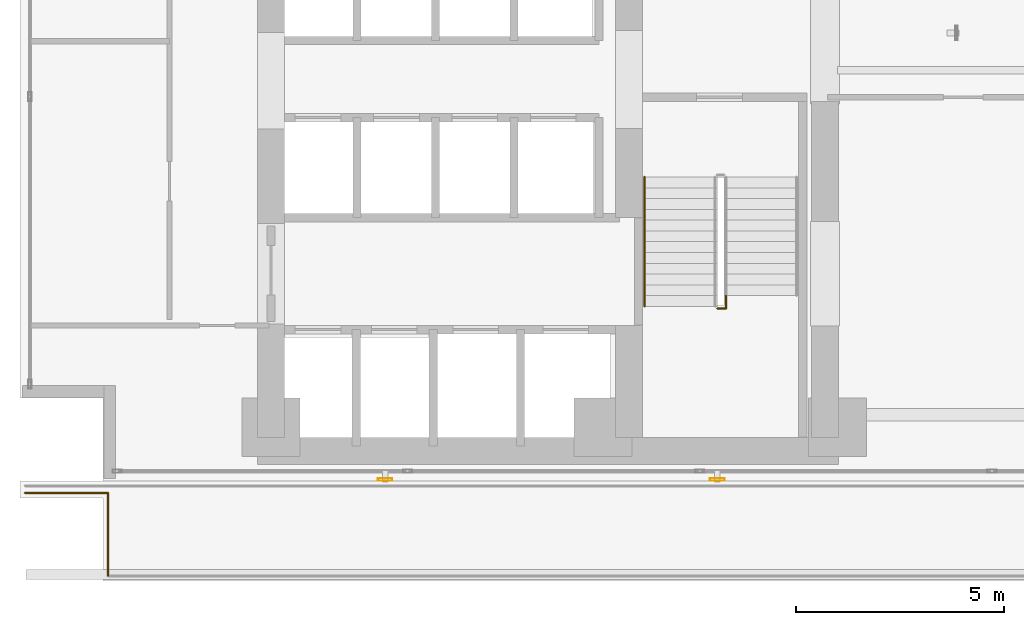
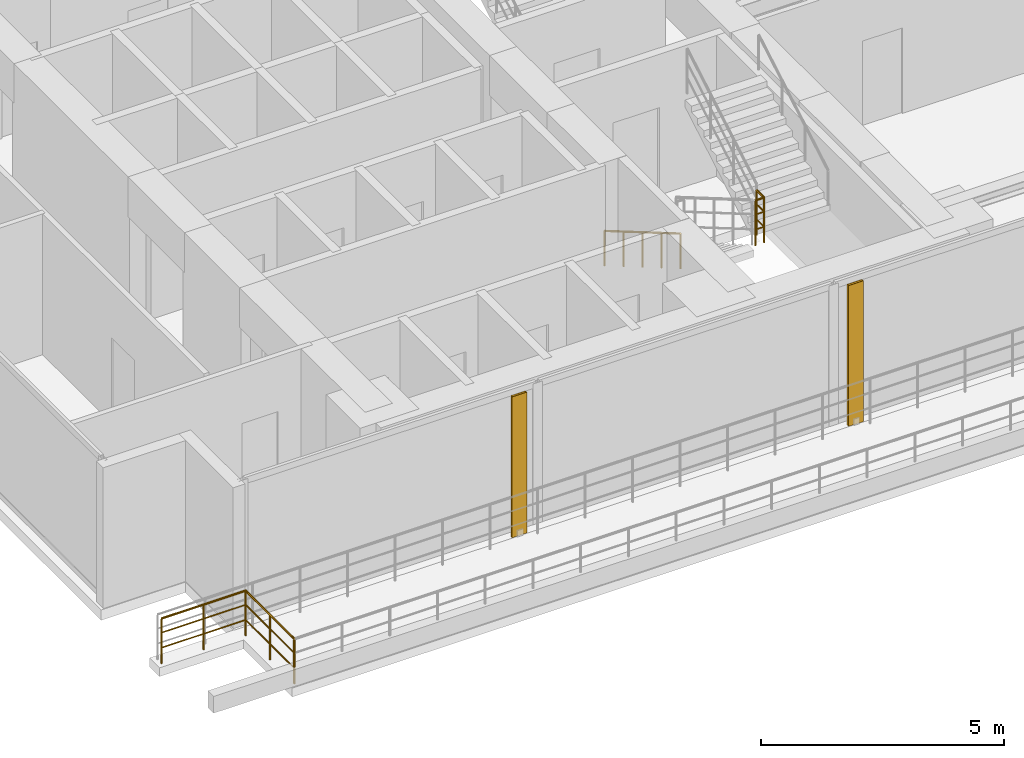
# One storey, part 21 of 26: 4 railings, 2 shading devices.
"""IFC4 building model written with IfcOpenShell, lengths in metres."""

from ifc_helpers import new_model, si_unit, direction, frame, origin, origin_2d, place, context, subcontext, project, spatial, hollow_rectangle, circle, extrude, material, material_profile, profile_set, type_object, element, save


model = new_model("IFC4")

# Units and contexts
model_context = context("Model", 3, precision=1e-05, world=origin(), true_north=direction((0.0, 1.0)))
body_context = subcontext(model_context, "Body", "Model", "MODEL_VIEW")
ifc_project = project(units=[si_unit("LENGTHUNIT", "METRE"), si_unit("AREAUNIT", "SQUARE_METRE"), si_unit("VOLUMEUNIT", "CUBIC_METRE"), si_unit("PLANEANGLEUNIT", "RADIAN"), si_unit("MASSUNIT", "GRAM", prefix="KILO")], contexts=[model_context])

# Site, building, storey
site_placement = place(None, origin())
site = spatial("IfcSite", under=ifc_project, at=site_placement, CompositionType="ELEMENT")
building_placement = place(site_placement, origin())
building = spatial("IfcBuilding", under=site, at=building_placement, Name="Kolvaren Waterfront Exchange", CompositionType="ELEMENT")
storey_placement = place(building_placement, frame((0.0, 0.0, 87.89990234375)))
storey = spatial("IfcBuildingStorey", under=building, at=storey_placement, Name="L22", CompositionType="ELEMENT", Elevation=87.89990234375)

# Shading devices
ifc_material_1 = material(Name="Anodised bronze aluminium 6063-T6", Category="aluminium")
ifc_material_profile = material_profile(ifc_material_1, hollow_rectangle(XDim=0.06005859375, YDim=0.35009765625, WallThickness=0.0048828125, at=origin_2d()), Name="BRZ-FIN-350x60x5")
ifc_profile_set = profile_set([ifc_material_profile], Name="Anodised bronze aluminium 6063-T6")
shading_device_type = type_object("IfcShadingDeviceType", Name="ARC-FIN-350", PredefinedType="USERDEFINED", material=ifc_profile_set)
for number, where, z_axis, x_axis, name in (
    (1, (10.199951171875, 3.639892578125, 0.0), (0.0, 0.0, 1.0), (0.0, -1.0, 0.0), "L22 anodised bronze solar shading fin FIN-L22-S1"),
    (2, (18.199951171875, 3.639892578125, 0.0), (0.0, 0.0, 1.0), (0.0, -1.0, 0.0), "L22 anodised bronze solar shading fin FIN-L22-S2"),
):
    element("IfcShadingDevice", number, at=place(storey_placement, frame(where, z_axis=z_axis, x_axis=x_axis)), inside=storey, type_object=shading_device_type, Name=name, ObjectType="SOLAR FIN", PredefinedType="USERDEFINED", context=body_context, shape_type="SweptSolid", body=[
        extrude(hollow_rectangle(XDim=0.06005859375, YDim=0.35009765625, WallThickness=0.0048828125, at=origin_2d()), origin(), (0.0, 0.0, 1.0), 3.5400390625),
    ])

# Railings
railing_type_1 = type_object("IfcRailingType", Name="ARC-GUARD-EXT", PredefinedType="GUARDRAIL", material=ifc_material_1)
railing_1_placement = place(storey_placement, frame((3.52001953125, 1.320068359375, 0.0)))
element("IfcRailing", 3, at=railing_1_placement, inside=storey, type_object=railing_type_1, Name="L22 sky-garden perimeter balustrade 2", PredefinedType="GUARDRAIL", context=body_context, shape_type="SweptSolid", body=[
    extrude(circle(Radius=0.02392578125, at=origin_2d()), frame((0.0, 0.0, 1.1259765625), z_axis=(0.0, 1.0, 0.0), x_axis=(-1.0, 0.0, 0.0)), (0.0, 0.0, 1.0), 2.0),
    extrude(circle(Radius=0.01611328125, at=origin_2d()), frame((0.0, 0.0, 0.390869140625), z_axis=(0.0, 1.0, 0.0), x_axis=(-1.0, 0.0, 0.0)), (0.0, 0.0, 1.0), 2.0),
    extrude(circle(Radius=0.01611328125, at=origin_2d()), frame((0.0, 0.0, 0.7705078125), z_axis=(0.0, 1.0, 0.0), x_axis=(-1.0, 0.0, 0.0)), (0.0, 0.0, 1.0), 2.0),
    extrude(circle(Radius=0.02099609375, at=origin_2d()), origin(), (0.0, 0.0, 1.0), 1.101806640625),
    extrude(circle(Radius=0.02099609375, at=origin_2d()), frame((0.0, 1.0, 0.0)), (0.0, 0.0, 1.0), 1.101806640625),
    extrude(circle(Radius=0.02099609375, at=origin_2d()), frame((0.0, 2.0, 0.0)), (0.0, 0.0, 1.0), 1.101806640625),
])
railing_2_placement = place(storey_placement, frame((3.52001953125, 3.320068359375, 0.0)))
element("IfcRailing", 4, at=railing_2_placement, inside=storey, type_object=railing_type_1, Name="L22 sky-garden perimeter balustrade 2", PredefinedType="GUARDRAIL", context=body_context, shape_type="SweptSolid", body=[
    extrude(circle(Radius=0.02392578125, at=origin_2d()), frame((0.0, 0.0, 1.1259765625), z_axis=(-1.0, 0.0, 0.0), x_axis=(0.0, -1.0, 0.0)), (0.0, 0.0, 1.0), 2.0),
    extrude(circle(Radius=0.01611328125, at=origin_2d()), frame((0.0, 0.0, 0.390869140625), z_axis=(-1.0, 0.0, 0.0), x_axis=(0.0, -1.0, 0.0)), (0.0, 0.0, 1.0), 2.0),
    extrude(circle(Radius=0.01611328125, at=origin_2d()), frame((0.0, 0.0, 0.7705078125), z_axis=(-1.0, 0.0, 0.0), x_axis=(0.0, -1.0, 0.0)), (0.0, 0.0, 1.0), 2.0),
    extrude(circle(Radius=0.02099609375, at=origin_2d()), origin(), (0.0, 0.0, 1.0), 1.101806640625),
    extrude(circle(Radius=0.02099609375, at=origin_2d()), frame((-1.0, 0.0, 0.0)), (0.0, 0.0, 1.0), 1.101806640625),
    extrude(circle(Radius=0.02099609375, at=origin_2d()), frame((-2.0, 0.0, 0.0)), (0.0, 0.0, 1.0), 1.101806640625),
])
ifc_material_2 = material(Name="Stainless steel 316", Category="steel")
railing_type_2 = type_object("IfcRailingType", Name="ARC-GUARD-STAIR", PredefinedType="GUARDRAIL", material=ifc_material_2)
railing_3_placement = place(storey_placement, frame((18.199951171875, 7.760009765625, 1.97607421875)))
element("IfcRailing", 5, at=railing_3_placement, inside=storey, type_object=railing_type_2, Name="L22 ST1 stair guard 2", PredefinedType="GUARDRAIL", context=body_context, shape_type="SweptSolid", body=[
    extrude(circle(Radius=0.02392578125, at=origin_2d()), frame((0.0, 0.0, 1.1259765625), z_axis=(1.0, 0.0, 0.0), x_axis=(0.0, 1.0, 0.0)), (0.0, 0.0, 1.0), 0.2099609375),
    extrude(circle(Radius=0.01611328125, at=origin_2d()), frame((0.0, 0.0, 0.390869140625), z_axis=(1.0, 0.0, 0.0), x_axis=(0.0, 1.0, 0.0)), (0.0, 0.0, 1.0), 0.2099609375),
    extrude(circle(Radius=0.01611328125, at=origin_2d()), frame((0.0, 0.0, 0.7705078125), z_axis=(1.0, 0.0, 0.0), x_axis=(0.0, 1.0, 0.0)), (0.0, 0.0, 1.0), 0.2099609375),
    extrude(circle(Radius=0.02392578125, at=origin_2d()), frame((0.2099609375, 0.0, 1.1259765625), z_axis=(0.0, 1.0, 0.0), x_axis=(-1.0, 0.0, 0.0)), (0.0, 0.0, 1.0), 0.31005859375),
    extrude(circle(Radius=0.01611328125, at=origin_2d()), frame((0.2099609375, 0.0, 0.390869140625), z_axis=(0.0, 1.0, 0.0), x_axis=(-1.0, 0.0, 0.0)), (0.0, 0.0, 1.0), 0.31005859375),
    extrude(circle(Radius=0.01611328125, at=origin_2d()), frame((0.2099609375, 0.0, 0.7705078125), z_axis=(0.0, 1.0, 0.0), x_axis=(-1.0, 0.0, 0.0)), (0.0, 0.0, 1.0), 0.31005859375),
    extrude(circle(Radius=0.02099609375, at=origin_2d()), origin(), (0.0, 0.0, 1.0), 1.101806640625),
    extrude(circle(Radius=0.02099609375, at=origin_2d()), frame((0.2099609375, 0.0, 0.0)), (0.0, 0.0, 1.0), 1.101806640625),
    extrude(circle(Radius=0.02099609375, at=origin_2d()), frame((0.2099609375, 0.31005859375, 0.0)), (0.0, 0.0, 1.0), 1.101806640625),
])
railing_type_3 = type_object("IfcRailingType", Name="ARC-HANDRAIL-900", PredefinedType="HANDRAIL", material=ifc_material_2)
railing_4_placement = place(storey_placement, frame((16.449951171875, 10.929931640625, 0.152099609375)))
element("IfcRailing", 6, at=railing_4_placement, inside=storey, type_object=railing_type_3, Name="L22 ST1 stair handrail 1", PredefinedType="HANDRAIL", context=body_context, shape_type="SweptSolid", body=[
    extrude(circle(Radius=0.02392578125, at=origin_2d()), frame((0.0, 0.0, 0.8759765625), z_axis=(0.0, -0.86329090724, 0.504706656858), x_axis=(1.0, 0.0, 0.0)), (0.0, 0.0, 1.0), 3.614013671875),
    extrude(circle(Radius=0.02099609375, at=origin_2d()), origin(), (0.0, 0.0, 1.0), 0.851806640625),
    extrude(circle(Radius=0.02099609375, at=origin_2d()), frame((0.0, -0.780029296875, 0.4560546875)), (0.0, 0.0, 1.0), 0.851806640625),
    extrude(circle(Radius=0.02099609375, at=origin_2d()), frame((0.0, -1.56005859375, 0.912109375)), (0.0, 0.0, 1.0), 0.851806640625),
    extrude(circle(Radius=0.02099609375, at=origin_2d()), frame((0.0, -2.33984375, 1.367919921875)), (0.0, 0.0, 1.0), 0.851806640625),
    extrude(circle(Radius=0.02099609375, at=origin_2d()), frame((0.0, -3.119873046875, 1.823974609375)), (0.0, 0.0, 1.0), 0.851806640625),
])

save(model, "model.ifc")
